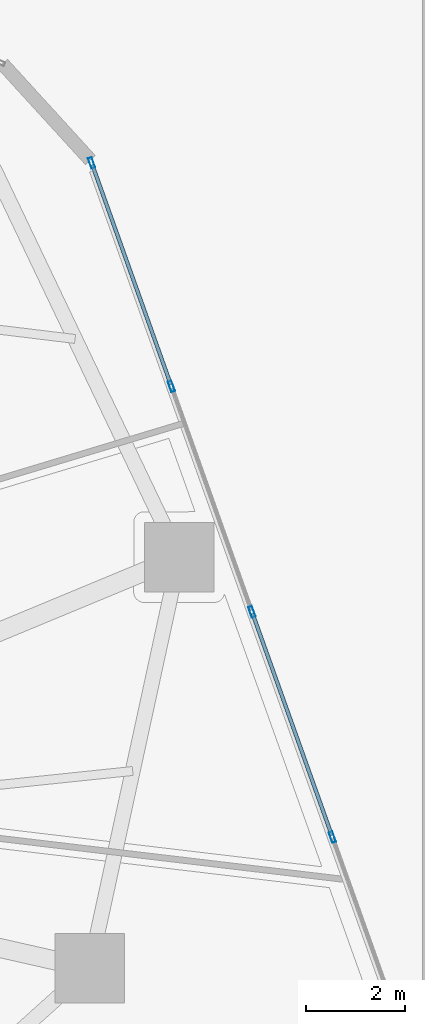
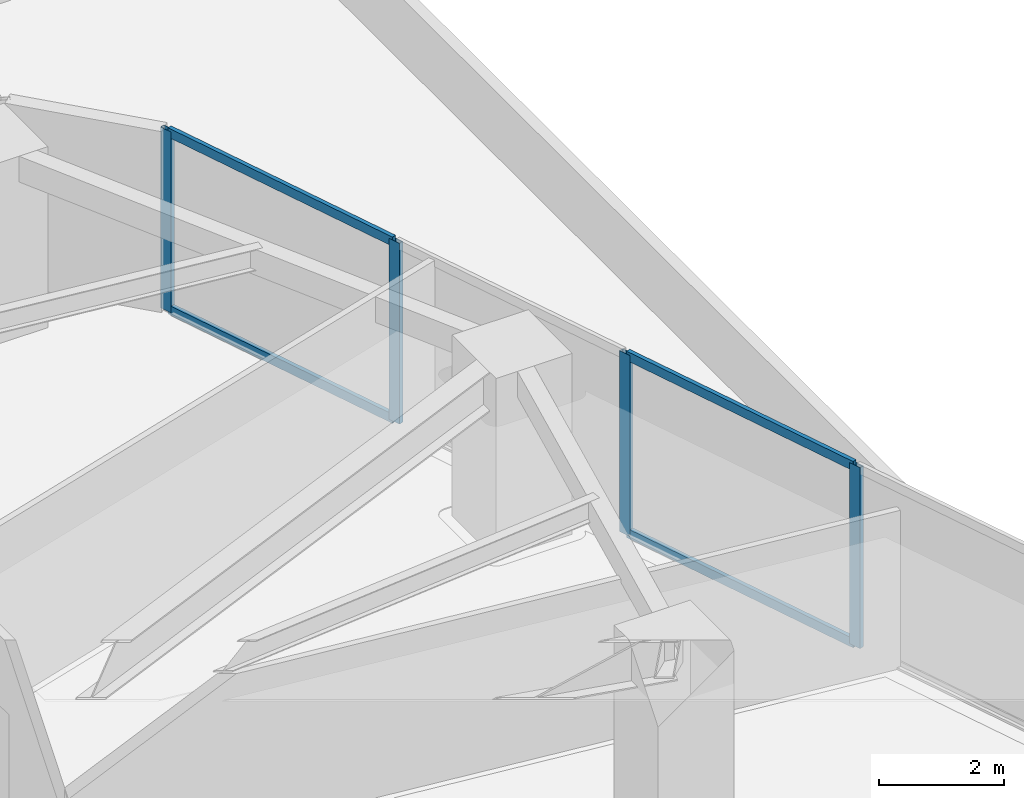
# One storey, part 13 of 23: 8 members, 1 element without a shape of its own.
"""IFC4 building model written with IfcOpenShell, lengths in metres."""

from ifc_helpers import new_model, si_unit, direction, frame, origin, origin_2d, place, context, subcontext, project, spatial, hollow_rectangle, extrude, source, transform, mapped, material, layer, layer_set, material_profile, profile_set, type_object, type_shapes, element, aggregate, save


model = new_model("IFC4")

# Units and contexts
model_context = context("Model", 3, precision=1e-05, world=origin(), true_north=direction((0.0, 1.0)))
body_context = subcontext(model_context, "Body", "Model", "MODEL_VIEW")
ifc_project = project(units=[si_unit("LENGTHUNIT", "METRE"), si_unit("AREAUNIT", "SQUARE_METRE"), si_unit("VOLUMEUNIT", "CUBIC_METRE"), si_unit("PLANEANGLEUNIT", "RADIAN"), si_unit("MASSUNIT", "GRAM", prefix="KILO")], contexts=[model_context])

# Site, building, storey
site_placement = place(None, origin())
site = spatial("IfcSite", under=ifc_project, at=site_placement, CompositionType="ELEMENT")
building_placement = place(site_placement, origin())
building = spatial("IfcBuilding", under=site, at=building_placement, Name="Talar Marvaseh", CompositionType="ELEMENT")
storey_placement = place(building_placement, frame((0.0, 0.0, 24.0)))
storey = spatial("IfcBuildingStorey", under=building, at=storey_placement, Name="L05", CompositionType="ELEMENT", Elevation=24.0)

# Curtain wall, members
ifc_material = material(Name="Architectural Aluminium", Category="aluminium")
ifc_layer = layer(ifc_material, 0.219970703125)
ifc_layer_set = layer_set([ifc_layer], Name="Architectural Aluminium")
curtain_wall_type = type_object("IfcCurtainWallType", Name="Unitised Low-E Museum Curtain Wall Z1", PredefinedType="NOTDEFINED", material=ifc_layer_set)
curtain_wall_placement = place(storey_placement, origin())
curtain_wall = element("IfcCurtainWall", 1, at=curtain_wall_placement, inside=storey, type_object=curtain_wall_type, Name="L05 Unitised Low-E Museum Curtain Wall Z1", PredefinedType="NOTDEFINED")
ifc_material_profile_1 = material_profile(ifc_material, hollow_rectangle(XDim=0.080078125, YDim=0.219970703125, WallThickness=0.0048828125, at=origin_2d()), Name="RHS220x80x5")
ifc_profile_set_1 = profile_set([ifc_material_profile_1], Name="Architectural Aluminium")
member_type_1 = type_object("IfcMemberType", Name="Unitised Curtain Wall Heavy Mullion RHS220x80x5", PredefinedType="MULLION", material=ifc_profile_set_1)
shared_shape_1 = source(origin(), body_context, "Body", "SweptSolid", [
    extrude(hollow_rectangle(XDim=0.080078125, YDim=0.219970703125, WallThickness=0.0048828125, at=origin_2d()), origin(), (0.0, 0.0, 1.0), 3.52001953125),
])
type_shapes(member_type_1, [shared_shape_1])
member_1_placement = place(storey_placement, frame((45.079833984375, 39.054443359375, 0.0), z_axis=(0.0, 0.0, 1.0), x_axis=(0.941741911595, 0.336336396997, 0.0)))
member_1 = element("IfcMember", 2, at=member_1_placement, type_object=member_type_1, Name="CW-Z1 mullion 1", PredefinedType="MULLION", context=body_context, shape_type="MappedRepresentation", body=[
    mapped(shared_shape_1, transform((0.0, 0.0, 0.0), x_axis=(1.0, 0.0, 0.0), y_axis=(0.0, 1.0, 0.0), z_axis=(0.0, 0.0, 1.0), scale=1.0)),
])
member_2_placement = place(storey_placement, frame((46.6865234375, 34.55615234375, 0.0), z_axis=(0.0, 0.0, 1.0), x_axis=(0.941741911595, 0.336336396997, 0.0)))
member_2 = element("IfcMember", 3, at=member_2_placement, type_object=member_type_1, Name="CW-Z1 mullion 2", PredefinedType="MULLION", context=body_context, shape_type="MappedRepresentation", body=[
    mapped(shared_shape_1, transform((0.0, 0.0, 0.0), x_axis=(1.0, 0.0, 0.0), y_axis=(0.0, 1.0, 0.0), z_axis=(0.0, 0.0, 1.0), scale=1.0)),
])
member_3_placement = place(storey_placement, frame((48.306396484375, 30.020263671875, 0.0), z_axis=(0.0, 0.0, 1.0), x_axis=(0.941741911595, 0.336336396997, 0.0)))
member_3 = element("IfcMember", 4, at=member_3_placement, type_object=member_type_1, Name="CW-Z1 mullion 3", PredefinedType="MULLION", context=body_context, shape_type="MappedRepresentation", body=[
    mapped(shared_shape_1, transform((0.0, 0.0, 0.0), x_axis=(1.0, 0.0, 0.0), y_axis=(0.0, 1.0, 0.0), z_axis=(0.0, 0.0, 1.0), scale=1.0)),
])
member_4_placement = place(storey_placement, frame((49.926513671875, 25.484130859375, 0.0), z_axis=(0.0, 0.0, 1.0), x_axis=(0.941741911595, 0.336336396997, 0.0)))
member_4 = element("IfcMember", 5, at=member_4_placement, type_object=member_type_1, Name="CW-Z1 mullion 4", PredefinedType="MULLION", context=body_context, shape_type="MappedRepresentation", body=[
    mapped(shared_shape_1, transform((0.0, 0.0, 0.0), x_axis=(1.0, 0.0, 0.0), y_axis=(0.0, 1.0, 0.0), z_axis=(0.0, 0.0, 1.0), scale=1.0)),
])
ifc_material_profile_2 = material_profile(ifc_material, hollow_rectangle(XDim=0.074951171875, YDim=0.179931640625, WallThickness=0.0048828125, at=origin_2d()), Name="RHS180x75x5")
ifc_profile_set_2 = profile_set([ifc_material_profile_2], Name="Architectural Aluminium")
member_type_2 = type_object("IfcMemberType", Name="Unitised Curtain Wall Transom RHS180x75x5", PredefinedType="USERDEFINED", material=ifc_profile_set_2)
shared_shape_2 = source(origin(), body_context, "Body", "SweptSolid", [
    extrude(hollow_rectangle(XDim=0.074951171875, YDim=0.179931640625, WallThickness=0.0048828125, at=origin_2d()), origin(), (0.0, 0.0, 1.0), 4.69677734375),
])
member_5_placement = place(storey_placement, frame((45.093505859375, 39.016845703125, 0.03759765625), z_axis=(0.336319932236, -0.941747791705, 0.0), x_axis=(0.941747791705, 0.336319932236, 0.0)))
member_5 = element("IfcMember", 6, at=member_5_placement, type_object=member_type_2, Name="CW-Z1 transom 1.1", ObjectType="TRANSOM", PredefinedType="USERDEFINED", context=body_context, shape_type="MappedRepresentation", body=[
    mapped(shared_shape_2, transform((0.0, 0.0, 0.0), x_axis=(1.0, 0.0, 0.0), y_axis=(0.0, 1.0, 0.0), z_axis=(0.0, 0.0, 1.0), scale=1.0)),
])
member_6_placement = place(storey_placement, frame((45.093505859375, 39.016845703125, 3.482421875), z_axis=(0.336319932236, -0.941747791705, 0.0), x_axis=(0.941747791705, 0.336319932236, 0.0)))
member_6 = element("IfcMember", 7, at=member_6_placement, type_object=member_type_2, Name="CW-Z1 transom 1.2", ObjectType="TRANSOM", PredefinedType="USERDEFINED", context=body_context, shape_type="MappedRepresentation", body=[
    mapped(shared_shape_2, transform((0.0, 0.0, 0.0), x_axis=(1.0, 0.0, 0.0), y_axis=(0.0, 1.0, 0.0), z_axis=(0.0, 0.0, 1.0), scale=1.0)),
])
shared_shape_3 = source(origin(), body_context, "Body", "SweptSolid", [
    extrude(hollow_rectangle(XDim=0.074951171875, YDim=0.179931640625, WallThickness=0.0048828125, at=origin_2d()), origin(), (0.0, 0.0, 1.0), 4.736328125),
])
type_shapes(member_type_2, [shared_shape_2, shared_shape_3])
member_7_placement = place(storey_placement, frame((48.320068359375, 29.982421875, 0.03759765625), z_axis=(0.336336396998, -0.941741911595, 0.0), x_axis=(0.941741911595, 0.336336396998, 0.0)))
member_7 = element("IfcMember", 8, at=member_7_placement, type_object=member_type_2, Name="CW-Z1 transom 3.1", ObjectType="TRANSOM", PredefinedType="USERDEFINED", context=body_context, shape_type="MappedRepresentation", body=[
    mapped(shared_shape_3, transform((0.0, 0.0, 0.0), x_axis=(1.0, 0.0, 0.0), y_axis=(0.0, 1.0, 0.0), z_axis=(0.0, 0.0, 1.0), scale=1.0)),
])
member_8_placement = place(storey_placement, frame((48.320068359375, 29.982421875, 3.482421875), z_axis=(0.336336396998, -0.941741911595, 0.0), x_axis=(0.941741911595, 0.336336396998, 0.0)))
member_8 = element("IfcMember", 9, at=member_8_placement, type_object=member_type_2, Name="CW-Z1 transom 3.2", ObjectType="TRANSOM", PredefinedType="USERDEFINED", context=body_context, shape_type="MappedRepresentation", body=[
    mapped(shared_shape_3, transform((0.0, 0.0, 0.0), x_axis=(1.0, 0.0, 0.0), y_axis=(0.0, 1.0, 0.0), z_axis=(0.0, 0.0, 1.0), scale=1.0)),
])
aggregate(curtain_wall, [member_1, member_2, member_3, member_4, member_5, member_6, member_7, member_8])

save(model, "model.ifc")
